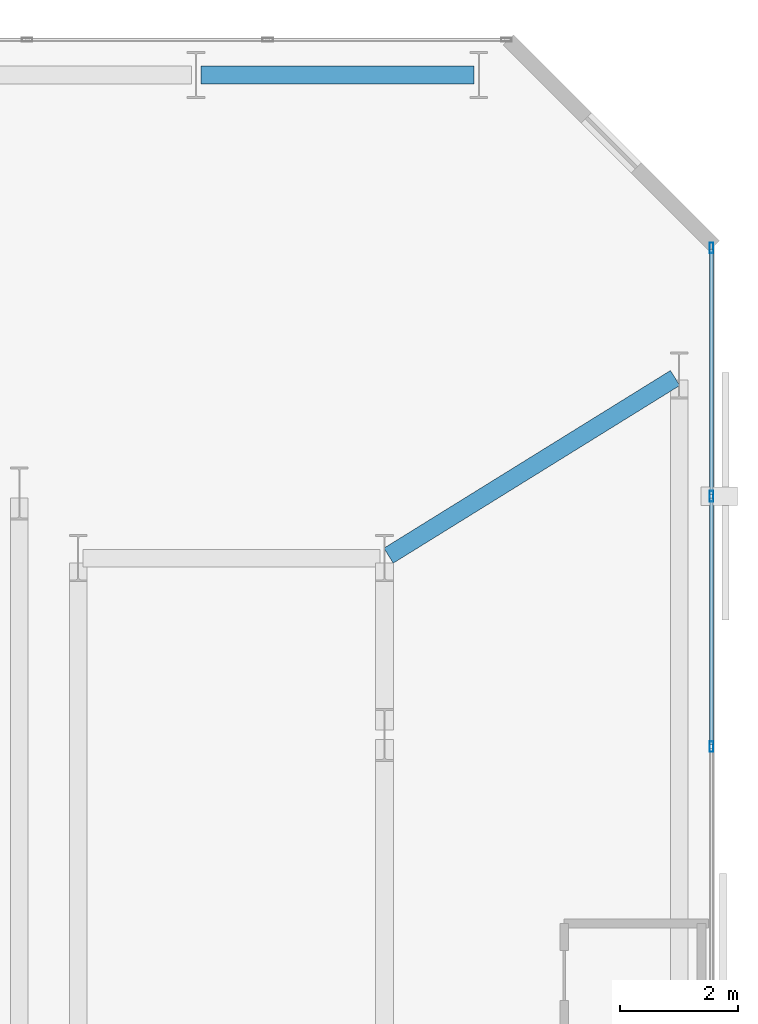
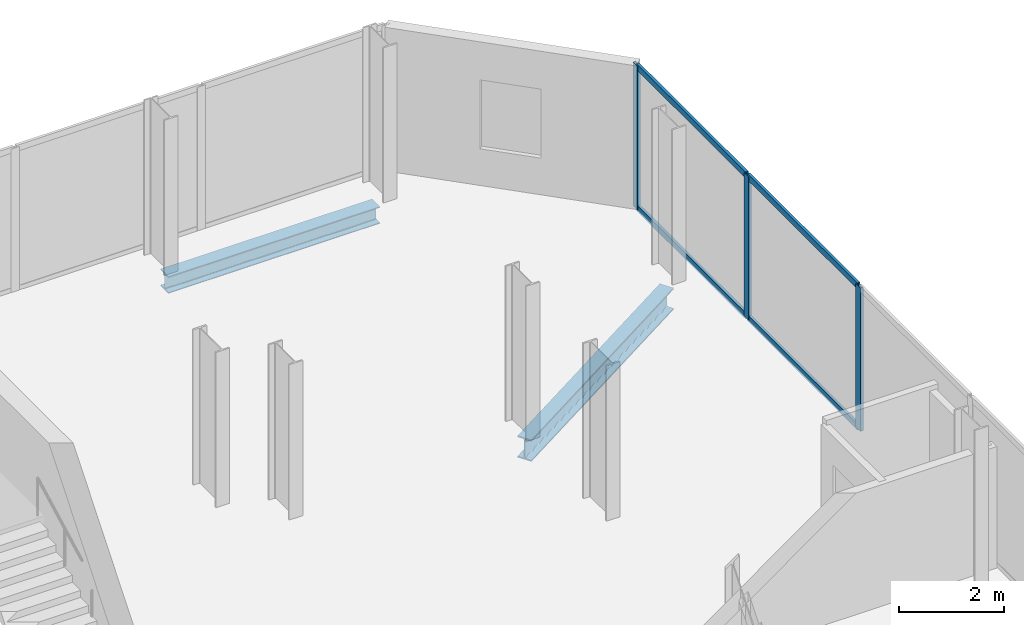
# One storey, part 25 of 33: 7 members, 2 beams, 1 element without a shape of its own.
"""IFC4 building model written with IfcOpenShell, lengths in metres."""

from ifc_helpers import new_model, si_unit, direction, frame, origin, origin_2d, place, context, subcontext, project, spatial, hollow_rectangle, i_section, extrude, material, layer, layer_set, material_profile, profile_set, type_object, element, aggregate, save


model = new_model("IFC4")

# Units and contexts
model_context = context("Model", 3, precision=1e-05, world=origin(), true_north=direction((0.0, 1.0)))
body_context = subcontext(model_context, "Body", "Model", "MODEL_VIEW")
ifc_project = project(units=[si_unit("LENGTHUNIT", "METRE"), si_unit("AREAUNIT", "SQUARE_METRE"), si_unit("VOLUMEUNIT", "CUBIC_METRE"), si_unit("PLANEANGLEUNIT", "RADIAN"), si_unit("MASSUNIT", "GRAM", prefix="KILO")], contexts=[model_context])

# Site, building, storey
site_placement = place(None, origin())
site = spatial("IfcSite", under=ifc_project, at=site_placement, CompositionType="ELEMENT")
building_placement = place(site_placement, origin())
building = spatial("IfcBuilding", under=site, at=building_placement, Name="Catumbela Crestline Tower", CompositionType="ELEMENT")
storey_placement = place(building_placement, frame((0.0, 0.0, 47.4)))
storey = spatial("IfcBuildingStorey", under=building, at=storey_placement, Name="L11", CompositionType="ELEMENT", Elevation=47.4)

# Beam
ifc_material_1 = material(Name="Structural steel S355J2", Category="steel")
ifc_material_profile_1 = material_profile(ifc_material_1, i_section(OverallWidth=0.3, OverallDepth=0.5, WebThickness=0.0145, FlangeThickness=0.028, FilletRadius=0.027, at=origin_2d()), Name="HEB 500")
ifc_profile_set_1 = profile_set([ifc_material_profile_1], Name="Structural steel S355J2")
beam_type_1 = type_object("IfcBeamType", Name="BG-HEB500", PredefinedType="BEAM", material=ifc_profile_set_1)
beam_1_placement = place(storey_placement, frame((50.468, 39.2422, -0.51), z_axis=(0.849908952007, 0.526929571479, 0.0), x_axis=(-0.526929571479, 0.849908952007, 0.0)))
element("IfcBeam", 1, at=beam_1_placement, inside=storey, type_object=beam_type_1, Name="L11 Beam BM-L11-N18", PredefinedType="BEAM", context=body_context, shape_type="SweptSolid", body=[
    extrude(i_section(OverallWidth=0.3, OverallDepth=0.5, WebThickness=0.0145, FlangeThickness=0.028, FilletRadius=0.027, at=origin_2d()), origin(), (0.0, 0.0, 1.0), 5.723),
])

# Curtain wall, members
ifc_material_2 = material(Name="Aluminium alloy AW-6060-T66", Category="aluminium")
ifc_layer = layer(ifc_material_2, 0.18, Name="Aluminium alloy AW-6060-T66")
ifc_layer_set = layer_set([ifc_layer], Name="Aluminium alloy AW-6060-T66")
curtain_wall_type = type_object("IfcCurtainWallType", Name="CWU-Z1", PredefinedType="USERDEFINED", material=ifc_layer_set)
curtain_wall_placement = place(storey_placement, origin())
curtain_wall = element("IfcCurtainWall", 2, at=curtain_wall_placement, inside=storey, type_object=curtain_wall_type, Name="L11 Unitised Curtain Wall CW-L11-E5S1", ObjectType="UNITISED", PredefinedType="USERDEFINED")
ifc_material_profile_2 = material_profile(ifc_material_2, hollow_rectangle(XDim=0.065, YDim=0.18, WallThickness=0.004, at=origin_2d()), Name="ALU 180x65x4")
ifc_profile_set_2 = profile_set([ifc_material_profile_2], Name="Aluminium alloy AW-6060-T66")
member_type_1 = type_object("IfcMemberType", Name="MUL-180X65", PredefinedType="MULLION", material=ifc_profile_set_2)
member_1_placement = place(storey_placement, frame((55.95, 36.0, 0.0), z_axis=(0.0, 0.0, 1.0), x_axis=(-1.0, 0.0, 0.0)))
member_1 = element("IfcMember", 3, at=member_1_placement, type_object=member_type_1, Name="CWU-Z1 mullion 3", PredefinedType="MULLION", context=body_context, shape_type="SweptSolid", body=[
    extrude(hollow_rectangle(XDim=0.065, YDim=0.18, WallThickness=0.004, at=origin_2d()), origin(), (0.0, 0.0, 1.0), 3.33),
])
member_2_placement = place(storey_placement, frame((55.95, 40.25, 0.0), z_axis=(0.0, 0.0, 1.0), x_axis=(-1.0, 0.0, 0.0)))
member_2 = element("IfcMember", 4, at=member_2_placement, type_object=member_type_1, Name="CWU-Z1 mullion 4", PredefinedType="MULLION", context=body_context, shape_type="SweptSolid", body=[
    extrude(hollow_rectangle(XDim=0.065, YDim=0.18, WallThickness=0.004, at=origin_2d()), origin(), (0.0, 0.0, 1.0), 3.33),
])
member_3_placement = place(storey_placement, frame((55.95, 44.4675, 0.0), z_axis=(0.0, 0.0, 1.0), x_axis=(-1.0, 0.0, 0.0)))
member_3 = element("IfcMember", 5, at=member_3_placement, type_object=member_type_1, Name="CWU-Z1 mullion 5", PredefinedType="MULLION", context=body_context, shape_type="SweptSolid", body=[
    extrude(hollow_rectangle(XDim=0.065, YDim=0.18, WallThickness=0.004, at=origin_2d()), origin(), (0.0, 0.0, 1.0), 3.33),
])

# Beam
ifc_material_profile_3 = material_profile(ifc_material_1, i_section(OverallWidth=0.3, OverallDepth=0.39, WebThickness=0.011, FlangeThickness=0.019, FilletRadius=0.027, at=origin_2d()), Name="HEA 400")
ifc_profile_set_3 = profile_set([ifc_material_profile_3], Name="Structural steel S355J2")
beam_type_2 = type_object("IfcBeamType", Name="BS-HEA400", PredefinedType="SPANDREL", material=ifc_profile_set_3)
beam_2_placement = place(storey_placement, frame((47.28, 47.4, -0.455), z_axis=(1.0, 0.0, 0.0), x_axis=(0.0, 1.0, 0.0)))
element("IfcBeam", 6, at=beam_2_placement, inside=storey, type_object=beam_type_2, Name="L11 Spandrel SP-L11-NF24", PredefinedType="SPANDREL", context=body_context, shape_type="SweptSolid", body=[
    extrude(i_section(OverallWidth=0.3, OverallDepth=0.39, WebThickness=0.011, FlangeThickness=0.019, FilletRadius=0.027, at=origin_2d()), origin(), (0.0, 0.0, 1.0), 4.64),
])

# Member
ifc_material_profile_4 = material_profile(ifc_material_2, hollow_rectangle(XDim=0.06, YDim=0.14, WallThickness=0.004, at=origin_2d()), Name="ALU 140x60x4")
ifc_profile_set_4 = profile_set([ifc_material_profile_4], Name="Aluminium alloy AW-6060-T66")
member_type_2 = type_object("IfcMemberType", Name="TRN-140X60", PredefinedType="USERDEFINED", material=ifc_profile_set_4)
member_4_placement = place(storey_placement, frame((55.95, 36.0325, 0.03), z_axis=(0.0, 1.0, 0.0), x_axis=(-1.0, 0.0, 0.0)))
member_4 = element("IfcMember", 7, at=member_4_placement, type_object=member_type_2, Name="CWU-Z1 transom 3.1", ObjectType="TRANSOM", PredefinedType="USERDEFINED", context=body_context, shape_type="SweptSolid", body=[
    extrude(hollow_rectangle(XDim=0.06, YDim=0.14, WallThickness=0.004, at=origin_2d()), origin(), (0.0, 0.0, 1.0), 4.185),
])

member_5_placement = place(storey_placement, frame((55.95, 36.0325, 3.3), z_axis=(0.0, 1.0, 0.0), x_axis=(-1.0, 0.0, 0.0)))
member_5 = element("IfcMember", 8, at=member_5_placement, type_object=member_type_2, Name="CWU-Z1 transom 3.2", ObjectType="TRANSOM", PredefinedType="USERDEFINED", context=body_context, shape_type="SweptSolid", body=[
    extrude(hollow_rectangle(XDim=0.06, YDim=0.14, WallThickness=0.004, at=origin_2d()), origin(), (0.0, 0.0, 1.0), 4.185),
])

member_6_placement = place(storey_placement, frame((55.95, 40.2825, 0.03), z_axis=(0.0, 1.0, 0.0), x_axis=(-1.0, 0.0, 0.0)))
member_6 = element("IfcMember", 9, at=member_6_placement, type_object=member_type_2, Name="CWU-Z1 transom 4.1", ObjectType="TRANSOM", PredefinedType="USERDEFINED", context=body_context, shape_type="SweptSolid", body=[
    extrude(hollow_rectangle(XDim=0.06, YDim=0.14, WallThickness=0.004, at=origin_2d()), origin(), (0.0, 0.0, 1.0), 4.1525),
])

member_7_placement = place(storey_placement, frame((55.95, 40.2825, 3.3), z_axis=(0.0, 1.0, 0.0), x_axis=(-1.0, 0.0, 0.0)))
member_7 = element("IfcMember", 10, at=member_7_placement, type_object=member_type_2, Name="CWU-Z1 transom 4.2", ObjectType="TRANSOM", PredefinedType="USERDEFINED", context=body_context, shape_type="SweptSolid", body=[
    extrude(hollow_rectangle(XDim=0.06, YDim=0.14, WallThickness=0.004, at=origin_2d()), origin(), (0.0, 0.0, 1.0), 4.1525),
])

aggregate(curtain_wall, [member_1, member_2, member_3, member_4, member_5, member_6, member_7])

save(model, "model.ifc")
